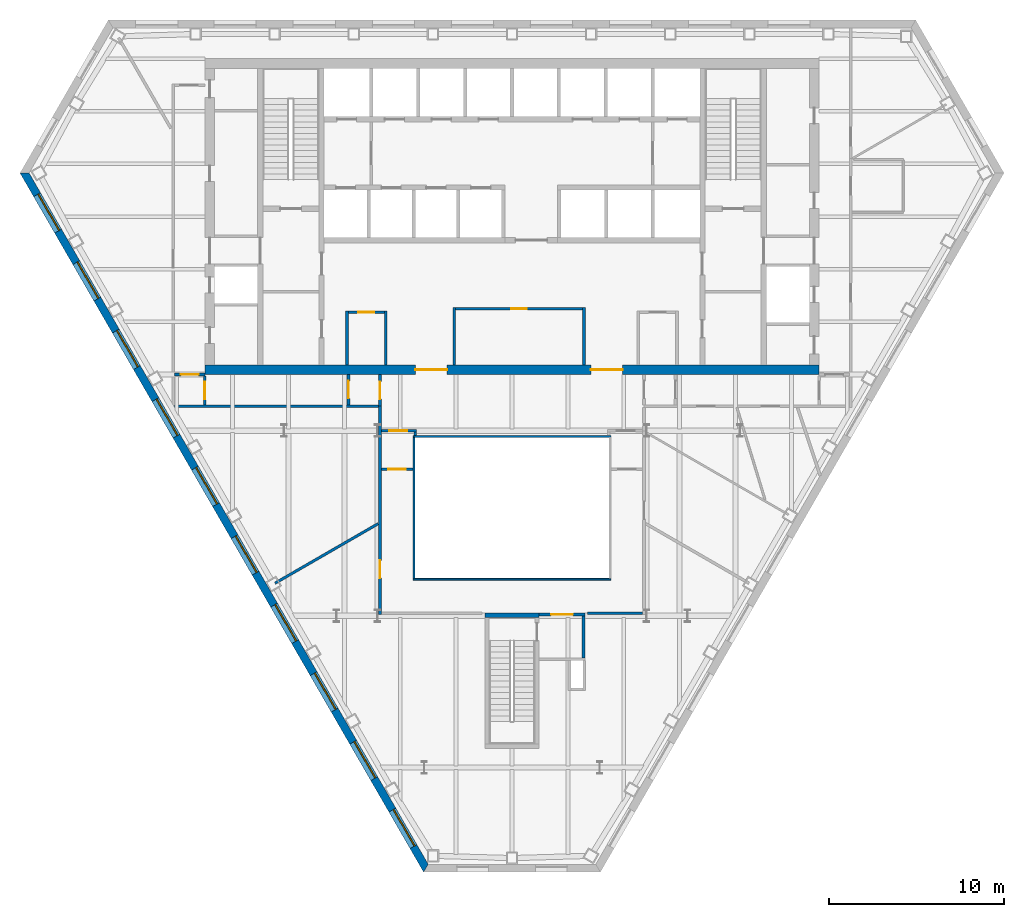
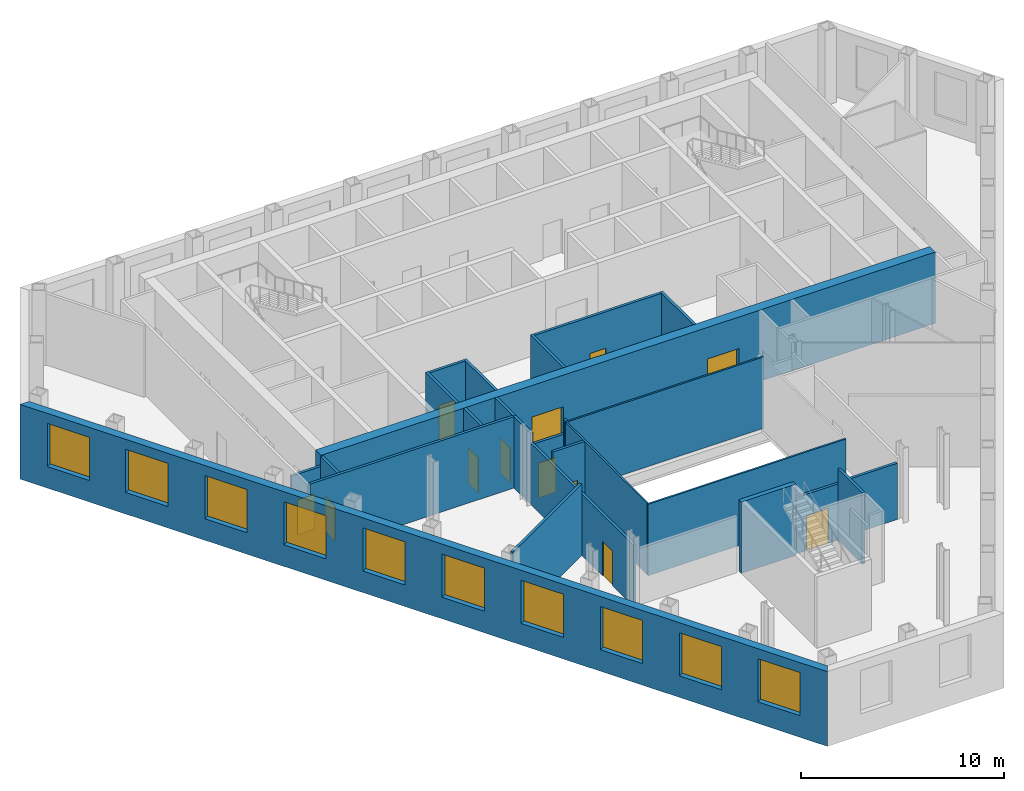
# One storey, part 4 of 11: 26 walls, 12 doors, 10 windows, 22 openings.
"""IFC4 building model written with IfcOpenShell, lengths in metres."""

from ifc_helpers import new_model, si_unit, direction, frame, frame_2d, origin, place, context, subcontext, project, spatial, polyline, rectangle, outline, extrude, material, layer, layer_set, type_object, element, fill, save


model = new_model("IFC4")

# Units and contexts
model_context = context("Model", 3, precision=1e-05, world=origin(), true_north=direction((0.0, 1.0)))
body_context = subcontext(model_context, "Body", "Model", "MODEL_VIEW")
ifc_project = project(units=[si_unit("LENGTHUNIT", "METRE"), si_unit("AREAUNIT", "SQUARE_METRE"), si_unit("VOLUMEUNIT", "CUBIC_METRE"), si_unit("PLANEANGLEUNIT", "RADIAN"), si_unit("MASSUNIT", "GRAM", prefix="KILO")], contexts=[model_context])

# Site, building, storey
site_placement = place(None, origin())
site = spatial("IfcSite", under=ifc_project, at=site_placement, CompositionType="ELEMENT")
building_placement = place(site_placement, origin())
building = spatial("IfcBuilding", under=site, at=building_placement, Name="Njiva Tower", CompositionType="ELEMENT")
storey_placement = place(building_placement, frame((0.0, 0.0, 102.3)))
storey = spatial("IfcBuildingStorey", under=building, at=storey_placement, Name="L21", CompositionType="ELEMENT", Elevation=102.3)

# Walls
ifc_material_1 = material(Name="Blockwork", Category="masonry")
ifc_layer_1 = layer(ifc_material_1, 0.15)
ifc_layer_set_1 = layer_set([ifc_layer_1], Name="Blockwork")
wall_type_1 = type_object("IfcWallType", Name="WT1 Compartment partition 150", PredefinedType="PARTITIONING", material=ifc_layer_set_1)
for number, where, z_axis, x_axis, name in (
    (1, (-3.3, 0.55, 0.0), (0.0, 0.0, 1.0), (0.0, 1.0, 0.0), "Waiting room wall west"),
    (2, (4.1, 0.55, 0.0), (0.0, 0.0, 1.0), (0.0, 1.0, 0.0), "Waiting room wall east"),
):
    element("IfcWall", number, at=place(storey_placement, frame(where, z_axis=z_axis, x_axis=x_axis)), inside=storey, type_object=wall_type_1, Name=name, PredefinedType="PARTITIONING", context=body_context, shape_type="SweptSolid", body=[
        extrude(rectangle(XDim=3.275, YDim=0.15, at=frame_2d((1.6375, 0.0))), origin(), (0.0, 0.0, 1.0), 4.3),
    ])

# Wall, opening, door
wall_1_placement = place(storey_placement, frame((-3.225, 3.75, 0.0), z_axis=(0.0, 0.0, 1.0), x_axis=(1.0, 0.0, 0.0)))
wall_1 = element("IfcWall", 3, at=wall_1_placement, inside=storey, type_object=wall_type_1, Name="Waiting room wall north", PredefinedType="PARTITIONING", context=body_context, shape_type="SweptSolid", body=[
    extrude(rectangle(XDim=7.25, YDim=0.15, at=frame_2d((3.625, 0.0))), origin(), (0.0, 0.0, 1.0), 4.3),
])
opening_1_placement = place(wall_1_placement, frame((3.175, 0.0, 0.0)))
opening_1 = element("IfcOpeningElement", 4, at=opening_1_placement, cuts=wall_1, Name="Opening S07-D933", PredefinedType="OPENING", context=body_context, shape_type="SweptSolid", body=[
    extrude(rectangle(XDim=0.9, YDim=2.1, at=frame_2d((0.45, 1.05))), frame((0.0, 0.085, 0.0), z_axis=(0.0, -1.0, 0.0), x_axis=(1.0, 0.0, 0.0)), (0.0, 0.0, 1.0), 0.17),
])
ifc_material_2 = material(Name="Steel fire door, painted", Category="steel")
door_type_1 = type_object("IfcDoorType", Name="D6 Fire-rated door 900x2100", OperationType="SINGLE_SWING_LEFT", PredefinedType="DOOR", material=ifc_material_2)
door_1_placement = place(opening_1_placement, origin())
door_1 = element("IfcDoor", 5, at=door_1_placement, inside=storey, type_object=door_type_1, Name="Waiting room door", OperationType="SINGLE_SWING_LEFT", OverallHeight=2.1, OverallWidth=0.9, PredefinedType="DOOR", context=body_context, shape_type="SweptSolid", body=[
    extrude(rectangle(XDim=0.9, YDim=2.1, at=frame_2d((0.45, 1.05))), frame((0.0, 0.025, 0.0), z_axis=(0.0, -1.0, 0.0), x_axis=(1.0, 0.0, 0.0)), (0.0, 0.0, 1.0), 0.05),
])
fill(opening_1, door_1)

# Walls
for number, where, z_axis, x_axis, name in (
    (6, (-9.4, 0.55, 0.0), (0.0, 0.0, 1.0), (0.0, 1.0, 0.0), "First aid room wall west"),
    (7, (-7.2, 0.55, 0.0), (0.0, 0.0, 1.0), (0.0, 1.0, 0.0), "First aid room wall east"),
):
    element("IfcWall", number, at=place(storey_placement, frame(where, z_axis=z_axis, x_axis=x_axis)), inside=storey, type_object=wall_type_1, Name=name, PredefinedType="PARTITIONING", context=body_context, shape_type="SweptSolid", body=[
        extrude(rectangle(XDim=3.075, YDim=0.15, at=frame_2d((1.5375, 0.0))), origin(), (0.0, 0.0, 1.0), 4.3),
    ])

# Wall, opening, door
wall_2_placement = place(storey_placement, frame((-9.325, 3.55, 0.0), z_axis=(0.0, 0.0, 1.0), x_axis=(1.0, 0.0, 0.0)))
wall_2 = element("IfcWall", 8, at=wall_2_placement, inside=storey, type_object=wall_type_1, Name="First aid room wall north", PredefinedType="PARTITIONING", context=body_context, shape_type="SweptSolid", body=[
    extrude(rectangle(XDim=2.05, YDim=0.15, at=frame_2d((1.025, 0.0))), origin(), (0.0, 0.0, 1.0), 4.3),
])
opening_2_placement = place(wall_2_placement, frame((0.575, 0.0, 0.0)))
opening_2 = element("IfcOpeningElement", 9, at=opening_2_placement, cuts=wall_2, Name="Opening S07-D934", PredefinedType="OPENING", context=body_context, shape_type="SweptSolid", body=[
    extrude(rectangle(XDim=0.9, YDim=2.1, at=frame_2d((0.45, 1.05))), frame((0.0, 0.085, 0.0), z_axis=(0.0, -1.0, 0.0), x_axis=(1.0, 0.0, 0.0)), (0.0, 0.0, 1.0), 0.17),
])
door_2_placement = place(opening_2_placement, origin())
door_2 = element("IfcDoor", 10, at=door_2_placement, inside=storey, type_object=door_type_1, Name="First aid room door", OperationType="SINGLE_SWING_RIGHT", OverallHeight=2.1, OverallWidth=0.9, PredefinedType="DOOR", context=body_context, shape_type="SweptSolid", body=[
    extrude(rectangle(XDim=0.9, YDim=2.1, at=frame_2d((0.45, 1.05))), frame((0.0, 0.025, 0.0), z_axis=(0.0, -1.0, 0.0), x_axis=(1.0, 0.0, 0.0)), (0.0, 0.0, 1.0), 0.05),
])
fill(opening_2, door_2)

# Wall, openings, doors
ifc_material_3 = material(Name="Concrete C60/75", Category="concrete")
ifc_layer_2 = layer(ifc_material_3, 0.55)
ifc_layer_set_2 = layer_set([ifc_layer_2], Name="Concrete C60/75")
wall_type_2 = type_object("IfcWallType", Name="WT14 Core wall 550", PredefinedType="SHEAR", material=ifc_layer_set_2)
wall_3_placement = place(storey_placement, frame((-17.5, 0.275, 0.0), z_axis=(0.0, 0.0, 1.0), x_axis=(1.0, 0.0, 0.0)))
wall_3 = element("IfcWall", 11, at=wall_3_placement, inside=storey, type_object=wall_type_2, Name="Core wall south", PredefinedType="SHEAR", context=body_context, shape_type="SweptSolid", body=[
    extrude(rectangle(XDim=35.0, YDim=0.55, at=frame_2d((17.5, 0.0))), origin(), (0.0, 0.0, 1.0), 4.3),
])
opening_3_placement = place(wall_3_placement, frame((12.0, 0.0, 0.0)))
opening_3 = element("IfcOpeningElement", 12, at=opening_3_placement, cuts=wall_3, Name="Opening S07-D936", PredefinedType="OPENING", context=body_context, shape_type="SweptSolid", body=[
    extrude(rectangle(XDim=1.8, YDim=2.4, at=frame_2d((0.9, 1.2))), frame((0.0, 0.285, 0.0), z_axis=(0.0, -1.0, 0.0), x_axis=(1.0, 0.0, 0.0)), (0.0, 0.0, 1.0), 0.57),
])
opening_4_placement = place(wall_3_placement, frame((22.0, 0.0, 0.0)))
opening_4 = element("IfcOpeningElement", 13, at=opening_4_placement, cuts=wall_3, Name="Opening S07-D937", PredefinedType="OPENING", context=body_context, shape_type="SweptSolid", body=[
    extrude(rectangle(XDim=1.8, YDim=2.4, at=frame_2d((0.9, 1.2))), frame((0.0, 0.285, 0.0), z_axis=(0.0, -1.0, 0.0), x_axis=(1.0, 0.0, 0.0)), (0.0, 0.0, 1.0), 0.57),
])
ifc_material_4 = material(Name="Steel and glass door", Category="steel")
door_type_2 = type_object("IfcDoorType", Name="D3 Core entrance door 1800x2400", OperationType="DOUBLE_DOOR_SINGLE_SWING", PredefinedType="DOOR", material=ifc_material_4)
door_3_placement = place(opening_3_placement, origin())
door_3 = element("IfcDoor", 14, at=door_3_placement, inside=storey, type_object=door_type_2, Name="Core entrance door", OperationType="DOUBLE_DOOR_SINGLE_SWING", OverallHeight=2.4, OverallWidth=1.8, PredefinedType="DOOR", context=body_context, shape_type="SweptSolid", body=[
    extrude(rectangle(XDim=1.8, YDim=2.4, at=frame_2d((0.9, 1.2))), frame((0.0, 0.025, 0.0), z_axis=(0.0, -1.0, 0.0), x_axis=(1.0, 0.0, 0.0)), (0.0, 0.0, 1.0), 0.05),
])
fill(opening_3, door_3)
door_4_placement = place(opening_4_placement, origin())
door_4 = element("IfcDoor", 15, at=door_4_placement, inside=storey, type_object=door_type_2, Name="Core entrance door", OperationType="DOUBLE_DOOR_SINGLE_SWING", OverallHeight=2.4, OverallWidth=1.8, PredefinedType="DOOR", context=body_context, shape_type="SweptSolid", body=[
    extrude(rectangle(XDim=1.8, YDim=2.4, at=frame_2d((0.9, 1.2))), frame((0.0, 0.025, 0.0), z_axis=(0.0, -1.0, 0.0), x_axis=(1.0, 0.0, 0.0)), (0.0, 0.0, 1.0), 0.05),
])
fill(opening_4, door_4)

# Wall
ifc_material_5 = material(Name="Gypsum board on steel studs", Category="gypsum")
ifc_layer_3 = layer(ifc_material_5, 0.15)
ifc_layer_set_3 = layer_set([ifc_layer_3], Name="Gypsum board on steel studs")
wall_type_3 = type_object("IfcWallType", Name="WT21 Compartment wall 150", PredefinedType="PARTITIONING", material=ifc_layer_set_3)
wall_4_placement = place(storey_placement, frame((-19.225, -1.8, 0.0), z_axis=(0.0, 0.0, 1.0), x_axis=(1.0, 0.0, 0.0)))
element("IfcWall", 16, at=wall_4_placement, inside=storey, type_object=wall_type_3, Name="Partition S07-P003", PredefinedType="PARTITIONING", context=body_context, shape_type="SweptSolid", body=[
    extrude(rectangle(XDim=11.63, YDim=0.15, at=frame_2d((5.815, 0.0))), origin(), (0.0, 0.0, 1.0), 4.3),
])

# Wall, opening, door
wall_5_placement = place(storey_placement, frame((-19.225, 0.0, 0.0), z_axis=(0.0, 0.0, 1.0), x_axis=(1.0, 0.0, 0.0)))
wall_5 = element("IfcWall", 17, at=wall_5_placement, inside=storey, type_object=wall_type_3, Name="Partition S07-P004", PredefinedType="PARTITIONING", context=body_context, shape_type="SweptSolid", body=[
    extrude(rectangle(XDim=1.725, YDim=0.15, at=frame_2d((0.8625, 0.0))), origin(), (0.0, 0.0, 1.0), 3.7),
])
opening_5_placement = place(wall_5_placement, frame((0.363, 0.0, 0.0)))
opening_5 = element("IfcOpeningElement", 18, at=opening_5_placement, cuts=wall_5, Name="Opening S07-D002", PredefinedType="OPENING", context=body_context, shape_type="SweptSolid", body=[
    extrude(rectangle(XDim=1.0, YDim=2.1, at=frame_2d((0.5, 1.05))), frame((0.0, 0.085, 0.0), z_axis=(0.0, -1.0, 0.0), x_axis=(1.0, 0.0, 0.0)), (0.0, 0.0, 1.0), 0.17),
])
ifc_material_6 = material(Name="Steel fire door set", Category="steel")
door_type_3 = type_object("IfcDoorType", Name="D37 Fire door 1000x2100", OperationType="SINGLE_SWING_LEFT", PredefinedType="DOOR", material=ifc_material_6)
door_5_placement = place(opening_5_placement, origin())
door_5 = element("IfcDoor", 19, at=door_5_placement, inside=storey, type_object=door_type_3, Name="Door S07-D002", OperationType="SINGLE_SWING_LEFT", OverallHeight=2.1, OverallWidth=1.0, PredefinedType="DOOR", context=body_context, shape_type="SweptSolid", body=[
    extrude(rectangle(XDim=1.0, YDim=2.1, at=frame_2d((0.5, 1.05))), frame((0.0, 0.025, 0.0), z_axis=(0.0, -1.0, 0.0), x_axis=(1.0, 0.0, 0.0)), (0.0, 0.0, 1.0), 0.05),
])
fill(opening_5, door_5)

wall_6_placement = place(storey_placement, frame((-17.5, -1.725, 0.0), z_axis=(0.0, 0.0, 1.0), x_axis=(0.0, 1.0, 0.0)))
wall_6 = element("IfcWall", 20, at=wall_6_placement, inside=storey, type_object=wall_type_3, Name="Partition S07-P006", PredefinedType="PARTITIONING", context=body_context, shape_type="SweptSolid", body=[
    extrude(rectangle(XDim=1.65, YDim=0.15, at=frame_2d((0.825, 0.0))), origin(), (0.0, 0.0, 1.0), 4.3),
])
opening_6_placement = place(wall_6_placement, frame((0.325, 0.0, 0.0)))
opening_6 = element("IfcOpeningElement", 21, at=opening_6_placement, cuts=wall_6, Name="Opening S07-D004", PredefinedType="OPENING", context=body_context, shape_type="SweptSolid", body=[
    extrude(rectangle(XDim=1.0, YDim=2.1, at=frame_2d((0.5, 1.05))), frame((0.0, 0.085, 0.0), z_axis=(0.0, -1.0, 0.0), x_axis=(1.0, 0.0, 0.0)), (0.0, 0.0, 1.0), 0.17),
])
door_6_placement = place(opening_6_placement, origin())
door_6 = element("IfcDoor", 22, at=door_6_placement, inside=storey, type_object=door_type_3, Name="Door S07-D004", OperationType="SINGLE_SWING_LEFT", OverallHeight=2.1, OverallWidth=1.0, PredefinedType="DOOR", context=body_context, shape_type="SweptSolid", body=[
    extrude(rectangle(XDim=1.0, YDim=2.1, at=frame_2d((0.5, 1.05))), frame((0.0, 0.025, 0.0), z_axis=(0.0, -1.0, 0.0), x_axis=(1.0, 0.0, 0.0)), (0.0, 0.0, 1.0), 0.05),
])
fill(opening_6, door_6)

# Wall
wall_7_placement = place(storey_placement, frame((-13.502, -11.892, 0.0), z_axis=(0.0, 0.0, 1.0), x_axis=(0.866156106014, 0.499773548734, 0.0)))
element("IfcWall", 23, at=wall_7_placement, inside=storey, type_object=wall_type_3, Name="Partition S07-P007", PredefinedType="PARTITIONING", context=body_context, shape_type="SweptSolid", body=[
    extrude(rectangle(XDim=6.7771, YDim=0.15, at=frame_2d((3.3886, 0.0))), origin(), (0.0, 0.0, 1.0), 4.3),
])

# Wall, opening, door
wall_8_placement = place(storey_placement, frame((-9.32, -1.725, 0.0), z_axis=(0.0, 0.0, 1.0), x_axis=(0.0, 1.0, 0.0)))
wall_8 = element("IfcWall", 24, at=wall_8_placement, inside=storey, type_object=wall_type_3, Name="Partition S07-P008", PredefinedType="PARTITIONING", context=body_context, shape_type="SweptSolid", body=[
    extrude(rectangle(XDim=1.725, YDim=0.15, at=frame_2d((0.8625, 0.0))), origin(), (0.0, 0.0, 1.0), 4.3),
])
opening_7_placement = place(wall_8_placement, frame((0.363, 0.0, 0.0)))
opening_7 = element("IfcOpeningElement", 25, at=opening_7_placement, cuts=wall_8, Name="Opening S07-D005", PredefinedType="OPENING", context=body_context, shape_type="SweptSolid", body=[
    extrude(rectangle(XDim=1.0, YDim=2.1, at=frame_2d((0.5, 1.05))), frame((0.0, 0.085, 0.0), z_axis=(0.0, -1.0, 0.0), x_axis=(1.0, 0.0, 0.0)), (0.0, 0.0, 1.0), 0.17),
])
door_7_placement = place(opening_7_placement, origin())
door_7 = element("IfcDoor", 26, at=door_7_placement, inside=storey, type_object=door_type_3, Name="Door S07-D005", OperationType="SINGLE_SWING_LEFT", OverallHeight=2.1, OverallWidth=1.0, PredefinedType="DOOR", context=body_context, shape_type="SweptSolid", body=[
    extrude(rectangle(XDim=1.0, YDim=2.1, at=frame_2d((0.5, 1.05))), frame((0.0, 0.025, 0.0), z_axis=(0.0, -1.0, 0.0), x_axis=(1.0, 0.0, 0.0)), (0.0, 0.0, 1.0), 0.05),
])
fill(opening_7, door_7)

wall_9_placement = place(storey_placement, frame((-7.52, -13.675, 0.0), z_axis=(0.0, 0.0, 1.0), x_axis=(0.0, 1.0, 0.0)))
wall_9 = element("IfcWall", 27, at=wall_9_placement, inside=storey, type_object=wall_type_3, Name="Partition S07-P009", PredefinedType="PARTITIONING", context=body_context, shape_type="SweptSolid", body=[
    extrude(rectangle(XDim=10.167, YDim=0.15, at=frame_2d((5.0835, 0.0))), origin(), (0.0, 0.0, 1.0), 3.7),
])
opening_8_placement = place(wall_9_placement, frame((2.079, 0.0, 0.0)))
opening_8 = element("IfcOpeningElement", 28, at=opening_8_placement, cuts=wall_9, Name="Opening S07-D006", PredefinedType="OPENING", context=body_context, shape_type="SweptSolid", body=[
    extrude(rectangle(XDim=1.0, YDim=2.1, at=frame_2d((0.5, 1.05))), frame((0.0, 0.085, 0.0), z_axis=(0.0, -1.0, 0.0), x_axis=(1.0, 0.0, 0.0)), (0.0, 0.0, 1.0), 0.17),
])
door_8_placement = place(opening_8_placement, origin())
door_8 = element("IfcDoor", 29, at=door_8_placement, inside=storey, type_object=door_type_3, Name="Door S07-D006", OperationType="SINGLE_SWING_RIGHT", OverallHeight=2.1, OverallWidth=1.0, PredefinedType="DOOR", context=body_context, shape_type="SweptSolid", body=[
    extrude(rectangle(XDim=1.0, YDim=2.1, at=frame_2d((0.5, 1.05))), frame((0.0, 0.025, 0.0), z_axis=(0.0, -1.0, 0.0), x_axis=(1.0, 0.0, 0.0)), (0.0, 0.0, 1.0), 0.05),
])
fill(opening_8, door_8)

# Wall
wall_10_placement = place(storey_placement, frame((-7.52, -3.508, 0.0), z_axis=(0.0, 0.0, 1.0), x_axis=(0.0, 1.0, 0.0)))
element("IfcWall", 30, at=wall_10_placement, inside=storey, type_object=wall_type_3, Name="Partition S07-P009A", PredefinedType="PARTITIONING", context=body_context, shape_type="SweptSolid", body=[
    extrude(rectangle(XDim=1.704, YDim=0.15, at=frame_2d((0.852, 0.0))), origin(), (0.0, 0.0, 1.0), 4.3),
])

# Wall, opening, door
wall_11_placement = place(storey_placement, frame((-7.52, -1.8, 0.0), z_axis=(0.0, 0.0, 1.0), x_axis=(0.0, 1.0, 0.0)))
wall_11 = element("IfcWall", 31, at=wall_11_placement, inside=storey, type_object=wall_type_3, Name="Partition S07-P010", PredefinedType="PARTITIONING", context=body_context, shape_type="SweptSolid", body=[
    extrude(rectangle(XDim=1.8, YDim=0.15, at=frame_2d((0.9, 0.0))), origin(), (0.0, 0.0, 1.0), 4.3),
])
opening_9_placement = place(wall_11_placement, frame((0.4, 0.0, 0.0)))
opening_9 = element("IfcOpeningElement", 32, at=opening_9_placement, cuts=wall_11, Name="Opening S07-D007", PredefinedType="OPENING", context=body_context, shape_type="SweptSolid", body=[
    extrude(rectangle(XDim=1.0, YDim=2.1, at=frame_2d((0.5, 1.05))), frame((0.0, 0.085, 0.0), z_axis=(0.0, -1.0, 0.0), x_axis=(1.0, 0.0, 0.0)), (0.0, 0.0, 1.0), 0.17),
])
door_9_placement = place(opening_9_placement, origin())
door_9 = element("IfcDoor", 33, at=door_9_placement, inside=storey, type_object=door_type_3, Name="Door S07-D007", OperationType="SINGLE_SWING_LEFT", OverallHeight=2.1, OverallWidth=1.0, PredefinedType="DOOR", context=body_context, shape_type="SweptSolid", body=[
    extrude(rectangle(XDim=1.0, YDim=2.1, at=frame_2d((0.5, 1.05))), frame((0.0, 0.025, 0.0), z_axis=(0.0, -1.0, 0.0), x_axis=(1.0, 0.0, 0.0)), (0.0, 0.0, 1.0), 0.05),
])
fill(opening_9, door_9)

wall_12_placement = place(storey_placement, frame((-7.445, -5.4, 0.0), z_axis=(0.0, 0.0, 1.0), x_axis=(1.0, 0.0, 0.0)))
wall_12 = element("IfcWall", 34, at=wall_12_placement, inside=storey, type_object=wall_type_3, Name="Partition S07-P012", PredefinedType="PARTITIONING", context=body_context, shape_type="SweptSolid", body=[
    extrude(rectangle(XDim=1.805, YDim=0.15, at=frame_2d((0.9025, 0.0))), origin(), (0.0, 0.0, 1.0), 4.3),
])
opening_10_placement = place(wall_12_placement, frame((0.402, 0.0, 0.0)))
opening_10 = element("IfcOpeningElement", 35, at=opening_10_placement, cuts=wall_12, Name="Opening S07-D008", PredefinedType="OPENING", context=body_context, shape_type="SweptSolid", body=[
    extrude(rectangle(XDim=1.0, YDim=2.1, at=frame_2d((0.5, 1.05))), frame((0.0, 0.085, 0.0), z_axis=(0.0, -1.0, 0.0), x_axis=(1.0, 0.0, 0.0)), (0.0, 0.0, 1.0), 0.17),
])
door_10_placement = place(opening_10_placement, origin())
door_10 = element("IfcDoor", 36, at=door_10_placement, inside=storey, type_object=door_type_3, Name="Door S07-D008", OperationType="SINGLE_SWING_RIGHT", OverallHeight=2.1, OverallWidth=1.0, PredefinedType="DOOR", context=body_context, shape_type="SweptSolid", body=[
    extrude(rectangle(XDim=1.0, YDim=2.1, at=frame_2d((0.5, 1.05))), frame((0.0, 0.025, 0.0), z_axis=(0.0, -1.0, 0.0), x_axis=(1.0, 0.0, 0.0)), (0.0, 0.0, 1.0), 0.05),
])
fill(opening_10, door_10)

wall_13_placement = place(storey_placement, frame((-7.445, -3.2, 0.0), z_axis=(0.0, 0.0, 1.0), x_axis=(1.0, 0.0, 0.0)))
wall_13 = element("IfcWall", 37, at=wall_13_placement, inside=storey, type_object=wall_type_3, Name="Partition S07-P013", PredefinedType="PARTITIONING", context=body_context, shape_type="SweptSolid", body=[
    extrude(rectangle(XDim=2.0, YDim=0.15, at=frame_2d((1.0, 0.0))), origin(), (0.0, 0.0, 1.0), 3.39),
])
opening_11_placement = place(wall_13_placement, frame((0.462, 0.0, 0.0)))
opening_11 = element("IfcOpeningElement", 38, at=opening_11_placement, cuts=wall_13, Name="Opening S07-D009", PredefinedType="OPENING", context=body_context, shape_type="SweptSolid", body=[
    extrude(rectangle(XDim=1.0, YDim=2.1, at=frame_2d((0.5, 1.05))), frame((0.0, 0.085, 0.0), z_axis=(0.0, -1.0, 0.0), x_axis=(1.0, 0.0, 0.0)), (0.0, 0.0, 1.0), 0.17),
])
door_11_placement = place(opening_11_placement, origin())
door_11 = element("IfcDoor", 39, at=door_11_placement, inside=storey, type_object=door_type_3, Name="Door S07-D009", OperationType="SINGLE_SWING_RIGHT", OverallHeight=2.1, OverallWidth=1.0, PredefinedType="DOOR", context=body_context, shape_type="SweptSolid", body=[
    extrude(rectangle(XDim=1.0, YDim=2.1, at=frame_2d((0.5, 1.05))), frame((0.0, 0.025, 0.0), z_axis=(0.0, -1.0, 0.0), x_axis=(1.0, 0.0, 0.0)), (0.0, 0.0, 1.0), 0.05),
])
fill(opening_11, door_11)

# Walls
wall_14_placement = place(storey_placement, frame((-5.52, -3.48, 0.0), z_axis=(0.0, 0.0, 1.0), x_axis=(0.0, 1.0, 0.0)))
element("IfcWall", 40, at=wall_14_placement, inside=storey, type_object=wall_type_3, Name="Partition S07-P014", PredefinedType="PARTITIONING", context=body_context, shape_type="SweptSolid", body=[
    extrude(rectangle(XDim=0.205, YDim=0.15, at=frame_2d((0.1025, 0.0))), origin(), (0.0, 0.0, 1.0), 4.3),
])
wall_15_placement = place(storey_placement, frame((4.3, -13.6, 0.0), z_axis=(0.0, 0.0, 1.0), x_axis=(1.0, 0.0, 0.0)))
element("IfcWall", 41, at=wall_15_placement, inside=storey, type_object=wall_type_3, Name="Partition S07-P015", PredefinedType="PARTITIONING", context=body_context, shape_type="SweptSolid", body=[
    extrude(rectangle(XDim=3.145, YDim=0.15, at=frame_2d((1.5725, 0.0))), origin(), (0.0, 0.0, 1.0), 3.39),
])
ifc_layer_4 = layer(ifc_material_1, 0.15)
ifc_layer_set_4 = layer_set([ifc_layer_4], Name="Blockwork")
wall_type_4 = type_object("IfcWallType", Name="WT4 Stair partition 150", PredefinedType="PARTITIONING", material=ifc_layer_set_4)
wall_16_placement = place(storey_placement, frame((4.075, -16.15, 0.0), z_axis=(0.0, 0.0, 1.0), x_axis=(0.0, 1.0, 0.0)))
element("IfcWall", 42, at=wall_16_placement, inside=storey, type_object=wall_type_4, Name="Stair C vestibule wall east", PredefinedType="PARTITIONING", context=body_context, shape_type="SweptSolid", body=[
    extrude(rectangle(XDim=2.4, YDim=0.15, at=frame_2d((1.2, 0.0))), origin(), (0.0, 0.0, 1.0), 4.3),
])

# Wall, opening, door
wall_17_placement = place(storey_placement, frame((1.55, -13.675, 0.0), z_axis=(0.0, 0.0, 1.0), x_axis=(1.0, 0.0, 0.0)))
wall_17 = element("IfcWall", 43, at=wall_17_placement, inside=storey, type_object=wall_type_4, Name="Stair C vestibule wall north", PredefinedType="PARTITIONING", context=body_context, shape_type="SweptSolid", body=[
    extrude(rectangle(XDim=2.6, YDim=0.15, at=frame_2d((1.3, 0.0))), origin(), (0.0, 0.0, 1.0), 3.39),
])
opening_12_placement = place(wall_17_placement, frame((0.675, 0.0, 0.0)))
opening_12 = element("IfcOpeningElement", 44, at=opening_12_placement, cuts=wall_17, Name="Opening S07-D939", PredefinedType="OPENING", context=body_context, shape_type="SweptSolid", body=[
    extrude(rectangle(XDim=1.25, YDim=2.1, at=frame_2d((0.625, 1.05))), frame((0.0, 0.085, 0.0), z_axis=(0.0, -1.0, 0.0), x_axis=(1.0, 0.0, 0.0)), (0.0, 0.0, 1.0), 0.17),
])
ifc_material_7 = material(Name="Glazed steel fire door", Category="steel")
door_type_4 = type_object("IfcDoorType", Name="D8 Vestibule corridor door 1250x2100 glazed", OperationType="SINGLE_SWING_LEFT", PredefinedType="DOOR", material=ifc_material_7)
door_12_placement = place(opening_12_placement, origin())
door_12 = element("IfcDoor", 45, at=door_12_placement, inside=storey, type_object=door_type_4, Name="Stair vestibule corridor door", OperationType="SINGLE_SWING_RIGHT", OverallHeight=2.1, OverallWidth=1.25, PredefinedType="DOOR", context=body_context, shape_type="SweptSolid", body=[
    extrude(rectangle(XDim=1.25, YDim=2.1, at=frame_2d((0.625, 1.05))), frame((0.0, 0.025, 0.0), z_axis=(0.0, -1.0, 0.0), x_axis=(1.0, 0.0, 0.0)), (0.0, 0.0, 1.0), 0.05),
])
fill(opening_12, door_12)

# Wall
ifc_material_8 = material(Name="Concrete C40/50", Category="concrete")
ifc_layer_5 = layer(ifc_material_8, 0.25)
ifc_layer_set_5 = layer_set([ifc_layer_5], Name="Concrete C40/50")
wall_type_5 = type_object("IfcWallType", Name="WT9 Stair enclosure wall 250", PredefinedType="SHEAR", material=ifc_layer_set_5)
wall_18_placement = place(storey_placement, frame((-1.55, -13.725, 0.0), z_axis=(0.0, 0.0, 1.0), x_axis=(1.0, 0.0, 0.0)))
element("IfcWall", 46, at=wall_18_placement, inside=storey, type_object=wall_type_5, Name="Stair C wall north", PredefinedType="SHEAR", context=body_context, shape_type="SweptSolid", body=[
    extrude(rectangle(XDim=3.1, YDim=0.25, at=frame_2d((1.55, 0.0))), origin(), (0.0, 0.0, 1.0), 4.3),
])

# Wall, openings, windows
ifc_material_9 = material(Name="Brick masonry", Category="masonry")
ifc_layer_6 = layer(ifc_material_9, 0.45)
ifc_layer_set_6 = layer_set([ifc_layer_6], Name="Brick masonry")
wall_type_6 = type_object("IfcWallType", Name="WT90 Brick pier and spandrel wall 450", PredefinedType="SOLIDWALL", material=ifc_layer_set_6)
wall_19_placement = place(storey_placement, frame((-27.7752, 11.4791, -0.4), z_axis=(0.0, 0.0, 1.0), x_axis=(0.500000711659, -0.866024992908, 0.0)))
wall_19 = element("IfcWall", 47, at=wall_19_placement, inside=storey, type_object=wall_type_6, Name="Facade wall SW", PredefinedType="SOLIDWALL", context=body_context, shape_type="SweptSolid", body=[
    extrude(outline(polyline([(-0.1299, -0.225), (45.87, -0.225), (45.6102, 0.225), (0.1299, 0.225), (-0.1299, -0.225)])), origin(), (0.0, 0.0, 1.0), 4.5),
])
opening_13_placement = place(wall_19_placement, frame((1.4242, 0.0, 1.3)))
opening_13 = element("IfcOpeningElement", 48, at=opening_13_placement, cuts=wall_19, Name="Opening S07-W12", PredefinedType="OPENING", context=body_context, shape_type="SweptSolid", body=[
    extrude(rectangle(XDim=2.4, YDim=2.6, at=frame_2d((1.2, 1.3))), frame((0.0, 0.235, 0.0), z_axis=(0.0, -1.0, 0.0), x_axis=(1.0, 0.0, 0.0)), (0.0, 0.0, 1.0), 0.47),
])
opening_14_placement = place(wall_19_placement, frame((5.8934, 0.0, 1.3)))
opening_14 = element("IfcOpeningElement", 49, at=opening_14_placement, cuts=wall_19, Name="Opening S07-W13", PredefinedType="OPENING", context=body_context, shape_type="SweptSolid", body=[
    extrude(rectangle(XDim=2.4, YDim=2.6, at=frame_2d((1.2, 1.3))), frame((0.0, 0.235, 0.0), z_axis=(0.0, -1.0, 0.0), x_axis=(1.0, 0.0, 0.0)), (0.0, 0.0, 1.0), 0.47),
])
opening_15_placement = place(wall_19_placement, frame((10.401, 0.0, 1.3)))
opening_15 = element("IfcOpeningElement", 50, at=opening_15_placement, cuts=wall_19, Name="Opening S07-W14", PredefinedType="OPENING", context=body_context, shape_type="SweptSolid", body=[
    extrude(rectangle(XDim=2.4, YDim=2.6, at=frame_2d((1.2, 1.3))), frame((0.0, 0.235, 0.0), z_axis=(0.0, -1.0, 0.0), x_axis=(1.0, 0.0, 0.0)), (0.0, 0.0, 1.0), 0.47),
])
opening_16_placement = place(wall_19_placement, frame((14.9087, 0.0, 1.3)))
opening_16 = element("IfcOpeningElement", 51, at=opening_16_placement, cuts=wall_19, Name="Opening S07-W15", PredefinedType="OPENING", context=body_context, shape_type="SweptSolid", body=[
    extrude(rectangle(XDim=2.4, YDim=2.6, at=frame_2d((1.2, 1.3))), frame((0.0, 0.235, 0.0), z_axis=(0.0, -1.0, 0.0), x_axis=(1.0, 0.0, 0.0)), (0.0, 0.0, 1.0), 0.47),
])
opening_17_placement = place(wall_19_placement, frame((19.4163, 0.0, 1.3)))
opening_17 = element("IfcOpeningElement", 52, at=opening_17_placement, cuts=wall_19, Name="Opening S07-W16", PredefinedType="OPENING", context=body_context, shape_type="SweptSolid", body=[
    extrude(rectangle(XDim=2.4, YDim=2.6, at=frame_2d((1.2, 1.3))), frame((0.0, 0.235, 0.0), z_axis=(0.0, -1.0, 0.0), x_axis=(1.0, 0.0, 0.0)), (0.0, 0.0, 1.0), 0.47),
])
opening_18_placement = place(wall_19_placement, frame((23.9239, 0.0, 1.3)))
opening_18 = element("IfcOpeningElement", 53, at=opening_18_placement, cuts=wall_19, Name="Opening S07-W17", PredefinedType="OPENING", context=body_context, shape_type="SweptSolid", body=[
    extrude(rectangle(XDim=2.4, YDim=2.6, at=frame_2d((1.2, 1.3))), frame((0.0, 0.235, 0.0), z_axis=(0.0, -1.0, 0.0), x_axis=(1.0, 0.0, 0.0)), (0.0, 0.0, 1.0), 0.47),
])
opening_19_placement = place(wall_19_placement, frame((28.4315, 0.0, 1.3)))
opening_19 = element("IfcOpeningElement", 54, at=opening_19_placement, cuts=wall_19, Name="Opening S07-W18", PredefinedType="OPENING", context=body_context, shape_type="SweptSolid", body=[
    extrude(rectangle(XDim=2.4, YDim=2.6, at=frame_2d((1.2, 1.3))), frame((0.0, 0.235, 0.0), z_axis=(0.0, -1.0, 0.0), x_axis=(1.0, 0.0, 0.0)), (0.0, 0.0, 1.0), 0.47),
])
opening_20_placement = place(wall_19_placement, frame((32.9391, 0.0, 1.3)))
opening_20 = element("IfcOpeningElement", 55, at=opening_20_placement, cuts=wall_19, Name="Opening S07-W19", PredefinedType="OPENING", context=body_context, shape_type="SweptSolid", body=[
    extrude(rectangle(XDim=2.4, YDim=2.6, at=frame_2d((1.2, 1.3))), frame((0.0, 0.235, 0.0), z_axis=(0.0, -1.0, 0.0), x_axis=(1.0, 0.0, 0.0)), (0.0, 0.0, 1.0), 0.47),
])
opening_21_placement = place(wall_19_placement, frame((37.4468, 0.0, 1.3)))
opening_21 = element("IfcOpeningElement", 56, at=opening_21_placement, cuts=wall_19, Name="Opening S07-W20", PredefinedType="OPENING", context=body_context, shape_type="SweptSolid", body=[
    extrude(rectangle(XDim=2.4, YDim=2.6, at=frame_2d((1.2, 1.3))), frame((0.0, 0.235, 0.0), z_axis=(0.0, -1.0, 0.0), x_axis=(1.0, 0.0, 0.0)), (0.0, 0.0, 1.0), 0.47),
])
opening_22_placement = place(wall_19_placement, frame((41.916, 0.0, 1.3)))
opening_22 = element("IfcOpeningElement", 57, at=opening_22_placement, cuts=wall_19, Name="Opening S07-W21", PredefinedType="OPENING", context=body_context, shape_type="SweptSolid", body=[
    extrude(rectangle(XDim=2.4, YDim=2.6, at=frame_2d((1.2, 1.3))), frame((0.0, 0.235, 0.0), z_axis=(0.0, -1.0, 0.0), x_axis=(1.0, 0.0, 0.0)), (0.0, 0.0, 1.0), 0.47),
])
ifc_material_10 = material(Name="Clear glazing in aluminium frame", Category="aluminium")
window_type = type_object("IfcWindowType", Name="W92 Deep-set window 2400x2600", PartitioningType="SINGLE_PANEL", PredefinedType="WINDOW", material=ifc_material_10)
window_1_placement = place(opening_13_placement, origin())
window_1 = element("IfcWindow", 58, at=window_1_placement, inside=storey, type_object=window_type, Name="Window", OverallHeight=2.6, OverallWidth=2.4, PartitioningType="SINGLE_PANEL", PredefinedType="WINDOW", context=body_context, shape_type="SweptSolid", body=[
    extrude(rectangle(XDim=2.4, YDim=2.6, at=frame_2d((1.2, 1.3))), frame((0.0, 0.105, 0.0), z_axis=(0.0, -1.0, 0.0), x_axis=(1.0, 0.0, 0.0)), (0.0, 0.0, 1.0), 0.06),
])
fill(opening_13, window_1)
window_2_placement = place(opening_14_placement, origin())
window_2 = element("IfcWindow", 59, at=window_2_placement, inside=storey, type_object=window_type, Name="Window", OverallHeight=2.6, OverallWidth=2.4, PartitioningType="SINGLE_PANEL", PredefinedType="WINDOW", context=body_context, shape_type="SweptSolid", body=[
    extrude(rectangle(XDim=2.4, YDim=2.6, at=frame_2d((1.2, 1.3))), frame((0.0, 0.105, 0.0), z_axis=(0.0, -1.0, 0.0), x_axis=(1.0, 0.0, 0.0)), (0.0, 0.0, 1.0), 0.06),
])
fill(opening_14, window_2)
window_3_placement = place(opening_15_placement, origin())
window_3 = element("IfcWindow", 60, at=window_3_placement, inside=storey, type_object=window_type, Name="Window", OverallHeight=2.6, OverallWidth=2.4, PartitioningType="SINGLE_PANEL", PredefinedType="WINDOW", context=body_context, shape_type="SweptSolid", body=[
    extrude(rectangle(XDim=2.4, YDim=2.6, at=frame_2d((1.2, 1.3))), frame((0.0, 0.105, 0.0), z_axis=(0.0, -1.0, 0.0), x_axis=(1.0, 0.0, 0.0)), (0.0, 0.0, 1.0), 0.06),
])
fill(opening_15, window_3)
window_4_placement = place(opening_16_placement, origin())
window_4 = element("IfcWindow", 61, at=window_4_placement, inside=storey, type_object=window_type, Name="Window", OverallHeight=2.6, OverallWidth=2.4, PartitioningType="SINGLE_PANEL", PredefinedType="WINDOW", context=body_context, shape_type="SweptSolid", body=[
    extrude(rectangle(XDim=2.4, YDim=2.6, at=frame_2d((1.2, 1.3))), frame((0.0, 0.105, 0.0), z_axis=(0.0, -1.0, 0.0), x_axis=(1.0, 0.0, 0.0)), (0.0, 0.0, 1.0), 0.06),
])
fill(opening_16, window_4)
window_5_placement = place(opening_17_placement, origin())
window_5 = element("IfcWindow", 62, at=window_5_placement, inside=storey, type_object=window_type, Name="Window", OverallHeight=2.6, OverallWidth=2.4, PartitioningType="SINGLE_PANEL", PredefinedType="WINDOW", context=body_context, shape_type="SweptSolid", body=[
    extrude(rectangle(XDim=2.4, YDim=2.6, at=frame_2d((1.2, 1.3))), frame((0.0, 0.105, 0.0), z_axis=(0.0, -1.0, 0.0), x_axis=(1.0, 0.0, 0.0)), (0.0, 0.0, 1.0), 0.06),
])
fill(opening_17, window_5)
window_6_placement = place(opening_18_placement, origin())
window_6 = element("IfcWindow", 63, at=window_6_placement, inside=storey, type_object=window_type, Name="Window", OverallHeight=2.6, OverallWidth=2.4, PartitioningType="SINGLE_PANEL", PredefinedType="WINDOW", context=body_context, shape_type="SweptSolid", body=[
    extrude(rectangle(XDim=2.4, YDim=2.6, at=frame_2d((1.2, 1.3))), frame((0.0, 0.105, 0.0), z_axis=(0.0, -1.0, 0.0), x_axis=(1.0, 0.0, 0.0)), (0.0, 0.0, 1.0), 0.06),
])
fill(opening_18, window_6)
window_7_placement = place(opening_19_placement, origin())
window_7 = element("IfcWindow", 64, at=window_7_placement, inside=storey, type_object=window_type, Name="Window", OverallHeight=2.6, OverallWidth=2.4, PartitioningType="SINGLE_PANEL", PredefinedType="WINDOW", context=body_context, shape_type="SweptSolid", body=[
    extrude(rectangle(XDim=2.4, YDim=2.6, at=frame_2d((1.2, 1.3))), frame((0.0, 0.105, 0.0), z_axis=(0.0, -1.0, 0.0), x_axis=(1.0, 0.0, 0.0)), (0.0, 0.0, 1.0), 0.06),
])
fill(opening_19, window_7)
window_8_placement = place(opening_20_placement, origin())
window_8 = element("IfcWindow", 65, at=window_8_placement, inside=storey, type_object=window_type, Name="Window", OverallHeight=2.6, OverallWidth=2.4, PartitioningType="SINGLE_PANEL", PredefinedType="WINDOW", context=body_context, shape_type="SweptSolid", body=[
    extrude(rectangle(XDim=2.4, YDim=2.6, at=frame_2d((1.2, 1.3))), frame((0.0, 0.105, 0.0), z_axis=(0.0, -1.0, 0.0), x_axis=(1.0, 0.0, 0.0)), (0.0, 0.0, 1.0), 0.06),
])
fill(opening_20, window_8)
window_9_placement = place(opening_21_placement, origin())
window_9 = element("IfcWindow", 66, at=window_9_placement, inside=storey, type_object=window_type, Name="Window", OverallHeight=2.6, OverallWidth=2.4, PartitioningType="SINGLE_PANEL", PredefinedType="WINDOW", context=body_context, shape_type="SweptSolid", body=[
    extrude(rectangle(XDim=2.4, YDim=2.6, at=frame_2d((1.2, 1.3))), frame((0.0, 0.105, 0.0), z_axis=(0.0, -1.0, 0.0), x_axis=(1.0, 0.0, 0.0)), (0.0, 0.0, 1.0), 0.06),
])
fill(opening_21, window_9)
window_10_placement = place(opening_22_placement, origin())
window_10 = element("IfcWindow", 67, at=window_10_placement, inside=storey, type_object=window_type, Name="Window", OverallHeight=2.6, OverallWidth=2.4, PartitioningType="SINGLE_PANEL", PredefinedType="WINDOW", context=body_context, shape_type="SweptSolid", body=[
    extrude(rectangle(XDim=2.4, YDim=2.6, at=frame_2d((1.2, 1.3))), frame((0.0, 0.105, 0.0), z_axis=(0.0, -1.0, 0.0), x_axis=(1.0, 0.0, 0.0)), (0.0, 0.0, 1.0), 0.06),
])
fill(opening_22, window_10)

# Walls
ifc_material_11 = material(Name="Fire-resisting glazing EI 90", Category="glass")
ifc_layer_7 = layer(ifc_material_11, 0.1)
ifc_layer_set_7 = layer_set([ifc_layer_7], Name="Fire-resisting glazing EI 90")
wall_type_7 = type_object("IfcWallType", Name="WT95 Fire-resisting glazed screen EI 90", PredefinedType="PARTITIONING", material=ifc_layer_set_7)
for number, where, z_axis, x_axis, name in (
    (68, (-5.64, -11.67, 0.0), (0.0, 0.0, 1.0), (1.0, 0.0, 0.0), "Atrium fire screen south"),
    (69, (5.64, -3.53, 0.0), (0.0, 0.0, 1.0), (-1.0, 0.0, 0.0), "Atrium fire screen north"),
):
    element("IfcWall", number, at=place(storey_placement, frame(where, z_axis=z_axis, x_axis=x_axis)), inside=storey, type_object=wall_type_7, Name=name, PredefinedType="PARTITIONING", context=body_context, shape_type="SweptSolid", body=[
        extrude(rectangle(XDim=11.28, YDim=0.1, at=frame_2d((5.64, 0.0))), origin(), (0.0, 0.0, 1.0), 4.3),
    ])
wall_20_placement = place(storey_placement, frame((-5.59, -3.58, 0.0), z_axis=(0.0, 0.0, 1.0), x_axis=(0.0, -1.0, 0.0)))
element("IfcWall", 70, at=wall_20_placement, inside=storey, type_object=wall_type_7, Name="Atrium fire screen west", PredefinedType="PARTITIONING", context=body_context, shape_type="SweptSolid", body=[
    extrude(rectangle(XDim=8.04, YDim=0.1, at=frame_2d((4.02, 0.0))), origin(), (0.0, 0.0, 1.0), 4.3),
])

save(model, "model.ifc")
